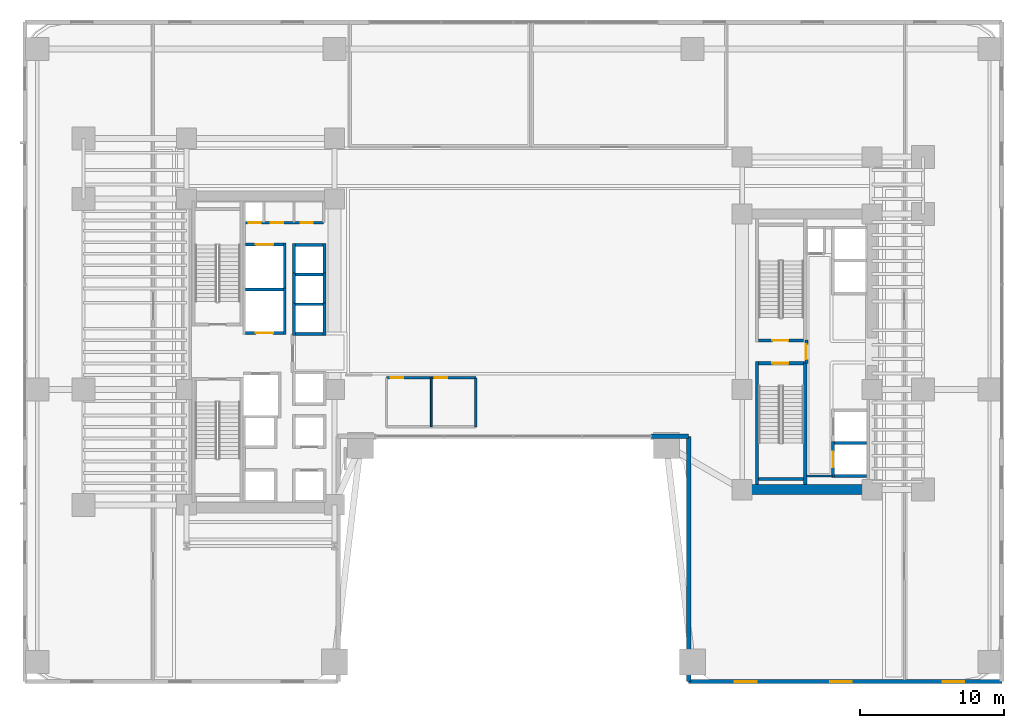
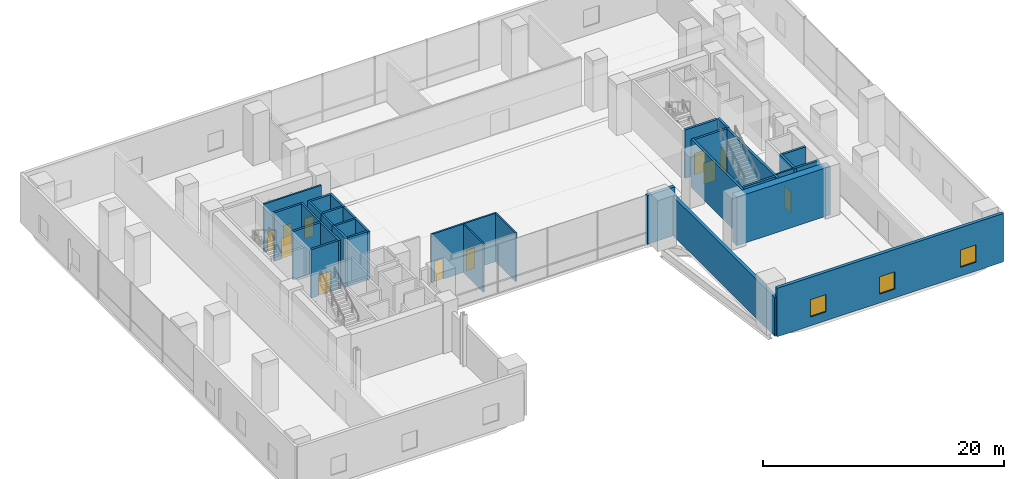
# One storey, part 27 of 39: 33 walls, 11 doors, 3 windows, 14 openings.
"""IFC4 building model written with IfcOpenShell, lengths in metres."""

from ifc_helpers import new_model, si_unit, direction, frame, frame_2d, origin, place, context, subcontext, project, spatial, rectangle, extrude, material, layer, layer_set, type_object, element, fill, save


model = new_model("IFC4")

# Units and contexts
model_context = context("Model", 3, precision=1e-05, world=origin(), true_north=direction((0.0, 1.0)))
body_context = subcontext(model_context, "Body", "Model", "MODEL_VIEW")
ifc_project = project(units=[si_unit("LENGTHUNIT", "METRE"), si_unit("AREAUNIT", "SQUARE_METRE"), si_unit("VOLUMEUNIT", "CUBIC_METRE"), si_unit("PLANEANGLEUNIT", "RADIAN"), si_unit("MASSUNIT", "GRAM", prefix="KILO")], contexts=[model_context])

# Site, building, storey
site_placement = place(None, origin())
site = spatial("IfcSite", under=ifc_project, at=site_placement, CompositionType="ELEMENT")
building_placement = place(site_placement, origin())
building = spatial("IfcBuilding", under=site, at=building_placement, Name="Valdorenza Pilgrim Sanctuary Tower", CompositionType="ELEMENT")
storey_placement = place(building_placement, frame((0.0, 0.0, 5.199951171875)))
storey = spatial("IfcBuildingStorey", under=building, at=storey_placement, Name="L01", CompositionType="ELEMENT", Elevation=5.199951171875)

# Wall, openings, doors
ifc_material_1 = material(Name="Acoustic twin-stud gypsum partition", Category="gypsum")
ifc_layer_1 = layer(ifc_material_1, 0.159912109375, Name="Acoustic twin-stud gypsum partition")
ifc_layer_set_1 = layer_set([ifc_layer_1], Name="Acoustic twin-stud gypsum partition")
wall_type_1 = type_object("IfcWallType", Name="WAL-COR-160", PredefinedType="PARTITIONING", material=ifc_layer_set_1)
wall_1_placement = place(storey_placement, frame((-18.64990234375, 8.949951171875, 0.0), z_axis=(0.0, 0.0, 1.0), x_axis=(1.0, 0.0, 0.0)))
wall_1 = element("IfcWall", 1, at=wall_1_placement, inside=storey, type_object=wall_type_1, Name="L01 Core A North Service South Wall", PredefinedType="PARTITIONING", context=body_context, shape_type="SweptSolid", body=[
    extrude(rectangle(XDim=5.5, YDim=0.159912109375, at=frame_2d((2.75, 0.0))), origin(), (0.0, 0.0, 1.0), 4.920166015625),
])
opening_1_placement = place(wall_1_placement, frame((0.300048828125, 0.0, 0.0)))
opening_1 = element("IfcOpeningElement", 2, at=opening_1_placement, cuts=wall_1, Name="Opening DR-RS1", PredefinedType="OPENING", context=body_context, shape_type="SweptSolid", body=[
    extrude(rectangle(XDim=0.85009765625, YDim=2.050048828125, at=frame_2d((0.425048828125, 1.02490234375))), frame((0.0, 0.0947265625, 0.0), z_axis=(0.0, -1.0, 0.0), x_axis=(1.0, 0.0, 0.0)), (0.0, 0.0, 1.0), 0.189697265625),
])
opening_2_placement = place(wall_1_placement, frame((1.85009765625, 0.0, 0.0)))
opening_2 = element("IfcOpeningElement", 3, at=opening_2_placement, cuts=wall_1, Name="Opening DR-RS1", PredefinedType="OPENING", context=body_context, shape_type="SweptSolid", body=[
    extrude(rectangle(XDim=0.85009765625, YDim=2.050048828125, at=frame_2d((0.425048828125, 1.02490234375))), frame((0.0, 0.0947265625, 0.0), z_axis=(0.0, -1.0, 0.0), x_axis=(1.0, 0.0, 0.0)), (0.0, 0.0, 1.0), 0.189697265625),
])
opening_3_placement = place(wall_1_placement, frame((3.89990234375, 0.0, 0.0)))
opening_3 = element("IfcOpeningElement", 4, at=opening_3_placement, cuts=wall_1, Name="Opening DR-RS1", PredefinedType="OPENING", context=body_context, shape_type="SweptSolid", body=[
    extrude(rectangle(XDim=0.85009765625, YDim=2.050048828125, at=frame_2d((0.425048828125, 1.02490234375))), frame((0.0, 0.0947265625, 0.0), z_axis=(0.0, -1.0, 0.0), x_axis=(1.0, 0.0, 0.0)), (0.0, 0.0, 1.0), 0.189697265625),
])
ifc_material_2 = material(Name="Painted galvanized steel", Category="steel")
door_type_1 = type_object("IfcDoorType", Name="DR-RSR-850", OperationType="NOTDEFINED", PredefinedType="DOOR", material=ifc_material_2)
door_1_placement = place(opening_1_placement, origin())
door_1 = element("IfcDoor", 5, at=door_1_placement, inside=storey, type_object=door_type_1, Name="L01 Core Electrical and Telecom Riser Door", OperationType="SINGLE_SWING_LEFT", OverallHeight=2.050048828125, OverallWidth=0.85009765625, PredefinedType="DOOR", context=body_context, shape_type="SweptSolid", body=[
    extrude(rectangle(XDim=0.85009765625, YDim=2.050048828125, at=frame_2d((0.425048828125, 1.02490234375))), frame((0.0, 0.02490234375, 0.0), z_axis=(0.0, -1.0, 0.0), x_axis=(1.0, 0.0, 0.0)), (0.0, 0.0, 1.0), 0.050048828125),
])
fill(opening_1, door_1)
door_2_placement = place(opening_2_placement, origin())
door_2 = element("IfcDoor", 6, at=door_2_placement, inside=storey, type_object=door_type_1, Name="L01 Core Janitor and Maintenance Store Door", OperationType="SINGLE_SWING_RIGHT", OverallHeight=2.050048828125, OverallWidth=0.85009765625, PredefinedType="DOOR", context=body_context, shape_type="SweptSolid", body=[
    extrude(rectangle(XDim=0.85009765625, YDim=2.050048828125, at=frame_2d((0.425048828125, 1.02490234375))), frame((0.0, 0.02490234375, 0.0), z_axis=(0.0, -1.0, 0.0), x_axis=(1.0, 0.0, 0.0)), (0.0, 0.0, 1.0), 0.050048828125),
])
fill(opening_2, door_2)
door_3_placement = place(opening_3_placement, origin())
door_3 = element("IfcDoor", 7, at=door_3_placement, inside=storey, type_object=door_type_1, Name="L01 Guest Ice and Vending Pantry Door", OperationType="SINGLE_SWING_LEFT", OverallHeight=2.050048828125, OverallWidth=0.85009765625, PredefinedType="DOOR", context=body_context, shape_type="SweptSolid", body=[
    extrude(rectangle(XDim=0.85009765625, YDim=2.050048828125, at=frame_2d((0.425048828125, 1.02490234375))), frame((0.0, 0.02490234375, 0.0), z_axis=(0.0, -1.0, 0.0), x_axis=(1.0, 0.0, 0.0)), (0.0, 0.0, 1.0), 0.050048828125),
])
fill(opening_3, door_3)

# Walls
wall_2_placement = place(storey_placement, frame((20.300048828125, -8.60009765625, 0.0), z_axis=(0.0, 0.0, 1.0), x_axis=(1.0, 0.0, 0.0)))
element("IfcWall", 8, at=wall_2_placement, inside=storey, type_object=wall_type_1, Name="L01 Core B Lift Hall South End Wall", PredefinedType="PARTITIONING", context=body_context, shape_type="SweptSolid", body=[
    extrude(rectangle(XDim=1.820068359375, YDim=0.159912109375, at=frame_2d((0.91015625, 0.0))), origin(), (0.0, 0.0, 1.0), 4.920166015625),
])
wall_3_placement = place(storey_placement, frame((-2.60009765625, -5.199951171875, 0.0), z_axis=(0.0, 0.0, 1.0), x_axis=(0.0, 1.0, 0.0)))
element("IfcWall", 9, at=wall_3_placement, inside=storey, type_object=wall_type_1, Name="L01 Washroom East Wall", PredefinedType="PARTITIONING", context=body_context, shape_type="SweptSolid", body=[
    extrude(rectangle(XDim=3.39990234375, YDim=0.159912109375, at=frame_2d((1.699951171875, 0.0))), origin(), (0.0, 0.0, 1.0), 4.920166015625),
])

# Wall, openings, doors
wall_4_placement = place(storey_placement, frame((-8.800048828125, -1.800048828125, 0.0), z_axis=(0.0, 0.0, 1.0), x_axis=(1.0, 0.0, 0.0)))
wall_4 = element("IfcWall", 10, at=wall_4_placement, inside=storey, type_object=wall_type_1, Name="L01 Washroom North Wall", PredefinedType="PARTITIONING", context=body_context, shape_type="SweptSolid", body=[
    extrude(rectangle(XDim=6.199951171875, YDim=0.159912109375, at=frame_2d((3.10009765625, 0.0))), origin(), (0.0, 0.0, 1.0), 4.920166015625),
])
opening_4_placement = place(wall_4_placement, frame((0.300048828125, 0.0, 0.0)))
opening_4 = element("IfcOpeningElement", 11, at=opening_4_placement, cuts=wall_4, Name="Opening DR-WC1", PredefinedType="OPENING", context=body_context, shape_type="SweptSolid", body=[
    extrude(rectangle(XDim=0.85009765625, YDim=2.10009765625, at=frame_2d((0.425048828125, 1.050048828125))), frame((0.0, 0.0947265625, 0.0), z_axis=(0.0, -1.0, 0.0), x_axis=(1.0, 0.0, 0.0)), (0.0, 0.0, 1.0), 0.189697265625),
])
opening_5_placement = place(wall_4_placement, frame((3.35009765625, 0.0, 0.0)))
opening_5 = element("IfcOpeningElement", 12, at=opening_5_placement, cuts=wall_4, Name="Opening DR-WC1", PredefinedType="OPENING", context=body_context, shape_type="SweptSolid", body=[
    extrude(rectangle(XDim=0.85009765625, YDim=2.10009765625, at=frame_2d((0.425048828125, 1.050048828125))), frame((0.0, 0.0947265625, 0.0), z_axis=(0.0, -1.0, 0.0), x_axis=(1.0, 0.0, 0.0)), (0.0, 0.0, 1.0), 0.189697265625),
])
ifc_material_3 = material(Name="Moisture-resistant lacquered timber", Category="wood")
door_type_2 = type_object("IfcDoorType", Name="DR-BATH-850", OperationType="NOTDEFINED", PredefinedType="DOOR", material=ifc_material_3)
door_4_placement = place(opening_4_placement, origin())
door_4 = element("IfcDoor", 13, at=door_4_placement, inside=storey, type_object=door_type_2, Name="L01 Accessible Washroom Door", OperationType="SINGLE_SWING_RIGHT", OverallHeight=2.10009765625, OverallWidth=0.85009765625, PredefinedType="DOOR", context=body_context, shape_type="SweptSolid", body=[
    extrude(rectangle(XDim=0.85009765625, YDim=2.10009765625, at=frame_2d((0.425048828125, 1.050048828125))), frame((0.0, 0.02490234375, 0.0), z_axis=(0.0, -1.0, 0.0), x_axis=(1.0, 0.0, 0.0)), (0.0, 0.0, 1.0), 0.050048828125),
])
fill(opening_4, door_4)
door_5_placement = place(opening_5_placement, origin())
door_5 = element("IfcDoor", 14, at=door_5_placement, inside=storey, type_object=door_type_2, Name="L01 Public Washroom Door", OperationType="SINGLE_SWING_LEFT", OverallHeight=2.10009765625, OverallWidth=0.85009765625, PredefinedType="DOOR", context=body_context, shape_type="SweptSolid", body=[
    extrude(rectangle(XDim=0.85009765625, YDim=2.10009765625, at=frame_2d((0.425048828125, 1.050048828125))), frame((0.0, 0.02490234375, 0.0), z_axis=(0.0, -1.0, 0.0), x_axis=(1.0, 0.0, 0.0)), (0.0, 0.0, 1.0), 0.050048828125),
])
fill(opening_5, door_5)

# Wall
ifc_material_4 = material(Name="Concrete C60/75", Category="concrete")
ifc_layer_2 = layer(ifc_material_4, 0.699951171875, Name="Concrete C60/75")
ifc_layer_set_2 = layer_set([ifc_layer_2], Name="Concrete C60/75")
wall_type_2 = type_object("IfcWallType", Name="WAL-COR-700", PredefinedType="SHEAR", material=ifc_layer_set_2)
wall_5_placement = place(storey_placement, frame((15.85009765625, -9.550048828125, 0.0), z_axis=(0.0, 0.0, 1.0), x_axis=(1.0, 0.0, 0.0)))
element("IfcWall", 15, at=wall_5_placement, inside=storey, type_object=wall_type_2, Name="L01 Split Core B Shear Wall S", PredefinedType="SHEAR", context=body_context, shape_type="SweptSolid", body=[
    extrude(rectangle(XDim=9.0, YDim=0.699951171875, at=frame_2d((4.5, 0.0))), origin(), (0.0, 0.0, 1.0), 4.920166015625),
])

# Wall, openings, windows
ifc_material_5 = material(Name="Honed travertine limestone", Category="masonry")
ifc_layer_3 = layer(ifc_material_5, 0.300048828125, Name="Honed travertine limestone")
ifc_layer_set_3 = layer_set([ifc_layer_3], Name="Honed travertine limestone")
wall_type_3 = type_object("IfcWallType", Name="WAL-EXT-300", PredefinedType="SOLIDWALL", material=ifc_layer_set_3)
wall_6_placement = place(storey_placement, frame((12.14990234375, -22.85009765625, 0.0), z_axis=(0.0, 0.0, 1.0), x_axis=(1.0, 0.0, 0.0)))
wall_6 = element("IfcWall", 16, at=wall_6_placement, inside=storey, type_object=wall_type_3, Name="L01 Podium Honed Travertine Stone Wall S-E", PredefinedType="SOLIDWALL", context=body_context, shape_type="SweptSolid", body=[
    extrude(rectangle(XDim=21.7001953125, YDim=0.300048828125, at=frame_2d((10.85009765625, 0.0))), origin(), (0.0, 0.0, 1.0), 4.920166015625),
])
opening_6_placement = place(wall_6_placement, frame((3.199951171875, 0.0, 0.89990234375)))
opening_6 = element("IfcOpeningElement", 17, at=opening_6_placement, cuts=wall_6, Name="Opening WN-VS1", PredefinedType="OPENING", context=body_context, shape_type="SweptSolid", body=[
    extrude(rectangle(XDim=1.5, YDim=1.75, at=frame_2d((0.75, 0.875))), frame((0.0, 0.1650390625, 0.0), z_axis=(0.0, -1.0, 0.0), x_axis=(1.0, 0.0, 0.0)), (0.0, 0.0, 1.0), 0.329833984375),
])
opening_7_placement = place(wall_6_placement, frame((9.800048828125, 0.0, 0.89990234375)))
opening_7 = element("IfcOpeningElement", 18, at=opening_7_placement, cuts=wall_6, Name="Opening WN-VS1", PredefinedType="OPENING", context=body_context, shape_type="SweptSolid", body=[
    extrude(rectangle(XDim=1.5, YDim=1.75, at=frame_2d((0.75, 0.875))), frame((0.0, 0.1650390625, 0.0), z_axis=(0.0, -1.0, 0.0), x_axis=(1.0, 0.0, 0.0)), (0.0, 0.0, 1.0), 0.329833984375),
])
opening_8_placement = place(wall_6_placement, frame((17.60009765625, 0.0, 0.89990234375)))
opening_8 = element("IfcOpeningElement", 19, at=opening_8_placement, cuts=wall_6, Name="Opening WN-VS1", PredefinedType="OPENING", context=body_context, shape_type="SweptSolid", body=[
    extrude(rectangle(XDim=1.5, YDim=1.75, at=frame_2d((0.75, 0.875))), frame((0.0, 0.1650390625, 0.0), z_axis=(0.0, -1.0, 0.0), x_axis=(1.0, 0.0, 0.0)), (0.0, 0.0, 1.0), 0.329833984375),
])
ifc_material_6 = material(Name="Ceramic-fritted low-E IGU glazing", Category="glass")
window_type = type_object("IfcWindowType", Name="WIN-VIS-1500", PartitioningType="SINGLE_PANEL", PredefinedType="WINDOW", material=ifc_material_6)
window_1_placement = place(opening_6_placement, origin())
window_1 = element("IfcWindow", 20, at=window_1_placement, inside=storey, type_object=window_type, Name="L01 Podium Stone Vision Window S-E-1", OverallHeight=1.75, OverallWidth=1.5, PartitioningType="SINGLE_PANEL", PredefinedType="WINDOW", context=body_context, shape_type="SweptSolid", body=[
    extrude(rectangle(XDim=1.5, YDim=1.75, at=frame_2d((0.75, 0.875))), frame((0.0, 0.030029296875, 0.0), z_axis=(0.0, -1.0, 0.0), x_axis=(1.0, 0.0, 0.0)), (0.0, 0.0, 1.0), 0.06005859375),
])
fill(opening_6, window_1)
window_2_placement = place(opening_7_placement, origin())
window_2 = element("IfcWindow", 21, at=window_2_placement, inside=storey, type_object=window_type, Name="L01 Podium Stone Vision Window S-E-2", OverallHeight=1.75, OverallWidth=1.5, PartitioningType="SINGLE_PANEL", PredefinedType="WINDOW", context=body_context, shape_type="SweptSolid", body=[
    extrude(rectangle(XDim=1.5, YDim=1.75, at=frame_2d((0.75, 0.875))), frame((0.0, 0.030029296875, 0.0), z_axis=(0.0, -1.0, 0.0), x_axis=(1.0, 0.0, 0.0)), (0.0, 0.0, 1.0), 0.06005859375),
])
fill(opening_7, window_2)
window_3_placement = place(opening_8_placement, origin())
window_3 = element("IfcWindow", 22, at=window_3_placement, inside=storey, type_object=window_type, Name="L01 Podium Stone Vision Window S-E-3", OverallHeight=1.75, OverallWidth=1.5, PartitioningType="SINGLE_PANEL", PredefinedType="WINDOW", context=body_context, shape_type="SweptSolid", body=[
    extrude(rectangle(XDim=1.5, YDim=1.75, at=frame_2d((0.75, 0.875))), frame((0.0, 0.030029296875, 0.0), z_axis=(0.0, -1.0, 0.0), x_axis=(1.0, 0.0, 0.0)), (0.0, 0.0, 1.0), 0.06005859375),
])
fill(opening_8, window_3)

# Walls
wall_7_placement = place(storey_placement, frame((12.14990234375, -22.85009765625, 0.0), z_axis=(0.0, 0.0, 1.0), x_axis=(0.0, 1.0, 0.0)))
element("IfcWall", 23, at=wall_7_placement, inside=storey, type_object=wall_type_3, Name="L01 Portal Arch Stone Cheek Wall ARCH-E", PredefinedType="SOLIDWALL", context=body_context, shape_type="SweptSolid", body=[
    extrude(rectangle(XDim=17.0, YDim=0.300048828125, at=frame_2d((8.5, 0.0))), origin(), (0.0, 0.0, 1.0), 3.95703125),
])
wall_8_placement = place(storey_placement, frame((9.52001953125, -5.85009765625, 0.0), z_axis=(0.0, 0.0, 1.0), x_axis=(1.0, 0.0, 0.0)))
element("IfcWall", 24, at=wall_8_placement, inside=storey, type_object=wall_type_3, Name="L01 Arch Pier East Stone Jamb", PredefinedType="SOLIDWALL", context=body_context, shape_type="SweptSolid", body=[
    extrude(rectangle(XDim=2.6298828125, YDim=0.300048828125, at=frame_2d((1.31494140625, 0.0))), origin(), (0.0, 0.0, 1.0), 4.920166015625),
])

# Wall, opening, door
ifc_material_7 = material(Name="Gypsum shaftwall partition", Category="gypsum")
ifc_layer_4 = layer(ifc_material_7, 0.199951171875, Name="Gypsum shaftwall partition")
ifc_layer_set_4 = layer_set([ifc_layer_4], Name="Gypsum shaftwall partition")
wall_type_4 = type_object("IfcWallType", Name="WAL-FFL-200", PredefinedType="PARTITIONING", material=ifc_layer_set_4)
wall_9_placement = place(storey_placement, frame((20.300048828125, -0.820068359375, 0.0), z_axis=(0.0, 0.0, 1.0), x_axis=(0.0, 1.0, 0.0)))
wall_9 = element("IfcWall", 25, at=wall_9_placement, inside=storey, type_object=wall_type_4, Name="L01 Core B Firefighting Lobby East Wall", PredefinedType="PARTITIONING", context=body_context, shape_type="SweptSolid", body=[
    extrude(rectangle(XDim=1.64013671875, YDim=0.199951171875, at=frame_2d((0.820068359375, 0.0))), origin(), (0.0, 0.0, 1.0), 4.920166015625),
])
opening_9_placement = place(wall_9_placement, frame((0.294921875, 0.0, 0.0)))
opening_9 = element("IfcOpeningElement", 26, at=opening_9_placement, cuts=wall_9, Name="Opening DR-FL1", PredefinedType="OPENING", context=body_context, shape_type="SweptSolid", body=[
    extrude(rectangle(XDim=1.050048828125, YDim=2.14990234375, at=frame_2d((0.52490234375, 1.074951171875))), frame((0.0, 0.11474609375, 0.0), z_axis=(0.0, -1.0, 0.0), x_axis=(1.0, 0.0, 0.0)), (0.0, 0.0, 1.0), 0.229736328125),
])
door_type_3 = type_object("IfcDoorType", Name="DR-FFL-1050", OperationType="NOTDEFINED", PredefinedType="DOOR", material=ifc_material_2)
door_6_placement = place(opening_9_placement, origin())
door_6 = element("IfcDoor", 27, at=door_6_placement, inside=storey, type_object=door_type_3, Name="L01 Core B Firefighting Lobby Door", OperationType="SINGLE_SWING_RIGHT", OverallHeight=2.14990234375, OverallWidth=1.050048828125, PredefinedType="DOOR", context=body_context, shape_type="SweptSolid", body=[
    extrude(rectangle(XDim=1.050048828125, YDim=2.14990234375, at=frame_2d((0.52490234375, 1.074951171875))), frame((0.0, 0.02490234375, 0.0), z_axis=(0.0, -1.0, 0.0), x_axis=(1.0, 0.0, 0.0)), (0.0, 0.0, 1.0), 0.050048828125),
])
fill(opening_9, door_6)

# Walls
ifc_material_8 = material(Name="Moisture-resistant gypsum partition", Category="gypsum")
ifc_layer_5 = layer(ifc_material_8, 0.1201171875, Name="Moisture-resistant gypsum partition")
ifc_layer_set_5 = layer_set([ifc_layer_5], Name="Moisture-resistant gypsum partition")
wall_type_5 = type_object("IfcWallType", Name="WAL-INT-120", PredefinedType="PARTITIONING", material=ifc_layer_set_5)
wall_10_placement = place(storey_placement, frame((-5.699951171875, -5.199951171875, 0.0), z_axis=(0.0, 0.0, 1.0), x_axis=(0.0, 1.0, 0.0)))
element("IfcWall", 28, at=wall_10_placement, inside=storey, type_object=wall_type_5, Name="L01 Washroom Divider Wall", PredefinedType="PARTITIONING", context=body_context, shape_type="SweptSolid", body=[
    extrude(rectangle(XDim=3.39990234375, YDim=0.1201171875, at=frame_2d((1.699951171875, 0.0))), origin(), (0.0, 0.0, 1.0), 4.920166015625),
])
ifc_material_9 = material(Name="Autoclaved aerated concrete blockwork", Category="masonry")
ifc_layer_6 = layer(ifc_material_9, 0.199951171875, Name="Autoclaved aerated concrete blockwork")
ifc_layer_set_6 = layer_set([ifc_layer_6], Name="Autoclaved aerated concrete blockwork")
wall_type_6 = type_object("IfcWallType", Name="WAL-SHF-200", PredefinedType="MOVABLE", material=ifc_layer_set_6)
wall_11_placement = place(storey_placement, frame((-15.85009765625, 1.199951171875, 0.0), z_axis=(0.0, 0.0, 1.0), x_axis=(0.0, 1.0, 0.0)))
element("IfcWall", 29, at=wall_11_placement, inside=storey, type_object=wall_type_6, Name="L01 Lift FFL-01 Hoistway Wall East", PredefinedType="MOVABLE", context=body_context, shape_type="SweptSolid", body=[
    extrude(rectangle(XDim=3.22509765625, YDim=0.199951171875, at=frame_2d((1.612548828125, 0.0))), origin(), (0.0, 0.0, 1.0), 4.920166015625),
])

# Wall, opening, door
wall_12_placement = place(storey_placement, frame((-18.550048828125, 1.300048828125, 0.0), z_axis=(0.0, 0.0, 1.0), x_axis=(1.0, 0.0, 0.0)))
wall_12 = element("IfcWall", 30, at=wall_12_placement, inside=storey, type_object=wall_type_6, Name="L01 Lift FFL-01 Hoistway Wall South", PredefinedType="MOVABLE", context=body_context, shape_type="SweptSolid", body=[
    extrude(rectangle(XDim=2.60009765625, YDim=0.199951171875, at=frame_2d((1.300048828125, 0.0))), origin(), (0.0, 0.0, 1.0), 4.920166015625),
])
opening_10_placement = place(wall_12_placement, frame((0.699951171875, 0.0, 0.0)))
opening_10 = element("IfcOpeningElement", 31, at=opening_10_placement, cuts=wall_12, Name="Opening LD-02", PredefinedType="OPENING", context=body_context, shape_type="SweptSolid", body=[
    extrude(rectangle(XDim=1.199951171875, YDim=2.10009765625, at=frame_2d((0.60009765625, 1.050048828125))), frame((0.0, 0.11474609375, 0.0), z_axis=(0.0, -1.0, 0.0), x_axis=(1.0, 0.0, 0.0)), (0.0, 0.0, 1.0), 0.229736328125),
])
ifc_material_10 = material(Name="Brushed stainless steel Grade 316", Category="steel")
door_type_4 = type_object("IfcDoorType", Name="DR-LFT-1200", OperationType="DOUBLE_DOOR_SLIDING", PredefinedType="DOOR", material=ifc_material_10)
door_7_placement = place(opening_10_placement, origin())
door_7 = element("IfcDoor", 32, at=door_7_placement, inside=storey, type_object=door_type_4, Name="L01 Lift FFL-01 Sliding Landing Door", OperationType="DOUBLE_DOOR_SLIDING", OverallHeight=2.10009765625, OverallWidth=1.199951171875, PredefinedType="DOOR", context=body_context, shape_type="SweptSolid", body=[
    extrude(rectangle(XDim=1.199951171875, YDim=2.10009765625, at=frame_2d((0.60009765625, 1.050048828125))), frame((0.0, 0.02490234375, 0.0), z_axis=(0.0, -1.0, 0.0), x_axis=(1.0, 0.0, 0.0)), (0.0, 0.0, 1.0), 0.050048828125),
])
fill(opening_10, door_7)

# Walls
wall_13_placement = place(storey_placement, frame((-18.550048828125, 4.324951171875, 0.0), z_axis=(0.0, 0.0, 1.0), x_axis=(1.0, 0.0, 0.0)))
element("IfcWall", 33, at=wall_13_placement, inside=storey, type_object=wall_type_6, Name="L01 Lift FFL-01 Hoistway Wall North", PredefinedType="MOVABLE", context=body_context, shape_type="SweptSolid", body=[
    extrude(rectangle(XDim=2.60009765625, YDim=0.199951171875, at=frame_2d((1.300048828125, 0.0))), origin(), (0.0, 0.0, 1.0), 4.920166015625),
])
wall_14_placement = place(storey_placement, frame((-15.85009765625, 4.22509765625, 0.0), z_axis=(0.0, 0.0, 1.0), x_axis=(0.0, 1.0, 0.0)))
element("IfcWall", 34, at=wall_14_placement, inside=storey, type_object=wall_type_6, Name="L01 Lift SVL-01 Hoistway Wall East", PredefinedType="MOVABLE", context=body_context, shape_type="SweptSolid", body=[
    extrude(rectangle(XDim=3.324951171875, YDim=0.199951171875, at=frame_2d((1.66259765625, 0.0))), origin(), (0.0, 0.0, 1.0), 4.920166015625),
])

# Wall, opening, door
wall_15_placement = place(storey_placement, frame((-18.550048828125, 7.449951171875, 0.0), z_axis=(0.0, 0.0, 1.0), x_axis=(1.0, 0.0, 0.0)))
wall_15 = element("IfcWall", 35, at=wall_15_placement, inside=storey, type_object=wall_type_6, Name="L01 Lift SVL-01 Hoistway Wall North", PredefinedType="MOVABLE", context=body_context, shape_type="SweptSolid", body=[
    extrude(rectangle(XDim=2.60009765625, YDim=0.199951171875, at=frame_2d((1.300048828125, 0.0))), origin(), (0.0, 0.0, 1.0), 4.920166015625),
])
opening_11_placement = place(wall_15_placement, frame((0.699951171875, 0.0, 0.0)))
opening_11 = element("IfcOpeningElement", 36, at=opening_11_placement, cuts=wall_15, Name="Opening LD-02", PredefinedType="OPENING", context=body_context, shape_type="SweptSolid", body=[
    extrude(rectangle(XDim=1.199951171875, YDim=2.10009765625, at=frame_2d((0.60009765625, 1.050048828125))), frame((0.0, 0.11474609375, 0.0), z_axis=(0.0, -1.0, 0.0), x_axis=(1.0, 0.0, 0.0)), (0.0, 0.0, 1.0), 0.229736328125),
])
door_8_placement = place(opening_11_placement, origin())
door_8 = element("IfcDoor", 37, at=door_8_placement, inside=storey, type_object=door_type_4, Name="L01 Lift SVL-01 Sliding Landing Door", OperationType="DOUBLE_DOOR_SLIDING", OverallHeight=2.10009765625, OverallWidth=1.199951171875, PredefinedType="DOOR", context=body_context, shape_type="SweptSolid", body=[
    extrude(rectangle(XDim=1.199951171875, YDim=2.10009765625, at=frame_2d((0.60009765625, 1.050048828125))), frame((0.0, 0.02490234375, 0.0), z_axis=(0.0, -1.0, 0.0), x_axis=(1.0, 0.0, 0.0)), (0.0, 0.0, 1.0), 0.050048828125),
])
fill(opening_11, door_8)

wall_16_placement = place(storey_placement, frame((22.14990234375, -8.699951171875, 0.0), z_axis=(0.0, 0.0, 1.0), x_axis=(0.0, 1.0, 0.0)))
wall_16 = element("IfcWall", 38, at=wall_16_placement, inside=storey, type_object=wall_type_6, Name="L01 Lift PL-03 Hoistway Wall West", PredefinedType="MOVABLE", context=body_context, shape_type="SweptSolid", body=[
    extrude(rectangle(XDim=2.474853515625, YDim=0.199951171875, at=frame_2d((1.2373046875, 0.0))), origin(), (0.0, 0.0, 1.0), 4.920166015625),
])
opening_12_placement = place(wall_16_placement, frame((0.6875, 0.0, 0.0)))
opening_12 = element("IfcOpeningElement", 39, at=opening_12_placement, cuts=wall_16, Name="Opening LD-01", PredefinedType="OPENING", context=body_context, shape_type="SweptSolid", body=[
    extrude(rectangle(XDim=1.10009765625, YDim=2.10009765625, at=frame_2d((0.550048828125, 1.050048828125))), frame((0.0, 0.11474609375, 0.0), z_axis=(0.0, -1.0, 0.0), x_axis=(1.0, 0.0, 0.0)), (0.0, 0.0, 1.0), 0.229736328125),
])
door_type_5 = type_object("IfcDoorType", Name="DR-LFT-1100", OperationType="DOUBLE_DOOR_SLIDING", PredefinedType="DOOR", material=ifc_material_10)
door_9_placement = place(opening_12_placement, origin())
door_9 = element("IfcDoor", 40, at=door_9_placement, inside=storey, type_object=door_type_5, Name="L01 Lift PL-03 Sliding Landing Door", OperationType="DOUBLE_DOOR_SLIDING", OverallHeight=2.10009765625, OverallWidth=1.10009765625, PredefinedType="DOOR", context=body_context, shape_type="SweptSolid", body=[
    extrude(rectangle(XDim=1.10009765625, YDim=2.10009765625, at=frame_2d((0.550048828125, 1.050048828125))), frame((0.0, 0.02490234375, 0.0), z_axis=(0.0, -1.0, 0.0), x_axis=(1.0, 0.0, 0.0)), (0.0, 0.0, 1.0), 0.050048828125),
])
fill(opening_12, door_9)

# Walls
for number, where, z_axis, x_axis, name in (
    (41, (22.25, -8.60009765625, 0.0), (0.0, 0.0, 1.0), (1.0, 0.0, 0.0), "L01 Lift PL-03 Hoistway Wall South"),
    (42, (22.25, -6.324951171875, 0.0), (0.0, 0.0, 1.0), (1.0, 0.0, 0.0), "L01 Lift PL-03 Hoistway Wall North"),
):
    element("IfcWall", number, at=place(storey_placement, frame(where, z_axis=z_axis, x_axis=x_axis)), inside=storey, type_object=wall_type_6, Name=name, PredefinedType="MOVABLE", context=body_context, shape_type="SweptSolid", body=[
        extrude(rectangle(XDim=2.22998046875, YDim=0.199951171875, at=frame_2d((1.114990234375, 0.0))), origin(), (0.0, 0.0, 1.0), 4.920166015625),
    ])
for number, where, z_axis, x_axis, name in (
    (43, (-15.199951171875, 1.14990234375, 0.0), (0.0, 0.0, 1.0), (0.0, 1.0, 0.0), "L01 Lift PL-06 Hoistway Wall West"),
    (44, (-13.080078125, 1.14990234375, 0.0), (0.0, 0.0, 1.0), (0.0, 1.0, 0.0), "L01 Lift PL-06 Hoistway Wall East"),
):
    element("IfcWall", number, at=place(storey_placement, frame(where, z_axis=z_axis, x_axis=x_axis)), inside=storey, type_object=wall_type_6, Name=name, PredefinedType="MOVABLE", context=body_context, shape_type="SweptSolid", body=[
        extrude(rectangle(XDim=2.25, YDim=0.199951171875, at=frame_2d((1.125, 0.0))), origin(), (0.0, 0.0, 1.0), 4.920166015625),
    ])
wall_17_placement = place(storey_placement, frame((-15.10009765625, 1.25, 0.0), z_axis=(0.0, 0.0, 1.0), x_axis=(1.0, 0.0, 0.0)))
element("IfcWall", 45, at=wall_17_placement, inside=storey, type_object=wall_type_6, Name="L01 Lift PL-06 Hoistway Wall South", PredefinedType="MOVABLE", context=body_context, shape_type="SweptSolid", body=[
    extrude(rectangle(XDim=1.920166015625, YDim=0.199951171875, at=frame_2d((0.9599609375, 0.0))), origin(), (0.0, 0.0, 1.0), 4.920166015625),
])
for number, where, z_axis, x_axis, name in (
    (46, (-15.199951171875, 3.199951171875, 0.0), (0.0, 0.0, 1.0), (0.0, 1.0, 0.0), "L01 Lift PL-09 Hoistway Wall West"),
    (47, (-13.080078125, 3.199951171875, 0.0), (0.0, 0.0, 1.0), (0.0, 1.0, 0.0), "L01 Lift PL-09 Hoistway Wall East"),
):
    element("IfcWall", number, at=place(storey_placement, frame(where, z_axis=z_axis, x_axis=x_axis)), inside=storey, type_object=wall_type_6, Name=name, PredefinedType="MOVABLE", context=body_context, shape_type="SweptSolid", body=[
        extrude(rectangle(XDim=2.25, YDim=0.199951171875, at=frame_2d((1.125, 0.0))), origin(), (0.0, 0.0, 1.0), 4.920166015625),
    ])
for number, where, z_axis, x_axis, name in (
    (48, (-15.10009765625, 3.300048828125, 0.0), (0.0, 0.0, 1.0), (1.0, 0.0, 0.0), "L01 Lift PL-09 Hoistway Wall South"),
    (49, (-15.10009765625, 5.35009765625, 0.0), (0.0, 0.0, 1.0), (1.0, 0.0, 0.0), "L01 Lift PL-09 Hoistway Wall North"),
):
    element("IfcWall", number, at=place(storey_placement, frame(where, z_axis=z_axis, x_axis=x_axis)), inside=storey, type_object=wall_type_6, Name=name, PredefinedType="MOVABLE", context=body_context, shape_type="SweptSolid", body=[
        extrude(rectangle(XDim=1.920166015625, YDim=0.199951171875, at=frame_2d((0.9599609375, 0.0))), origin(), (0.0, 0.0, 1.0), 4.920166015625),
    ])
for number, where, z_axis, x_axis, name in (
    (50, (-15.199951171875, 5.25, 0.0), (0.0, 0.0, 1.0), (0.0, 1.0, 0.0), "L01 Lift PL-10 Hoistway Wall West"),
    (51, (-13.080078125, 5.25, 0.0), (0.0, 0.0, 1.0), (0.0, 1.0, 0.0), "L01 Lift PL-10 Hoistway Wall East"),
):
    element("IfcWall", number, at=place(storey_placement, frame(where, z_axis=z_axis, x_axis=x_axis)), inside=storey, type_object=wall_type_6, Name=name, PredefinedType="MOVABLE", context=body_context, shape_type="SweptSolid", body=[
        extrude(rectangle(XDim=2.25, YDim=0.199951171875, at=frame_2d((1.125, 0.0))), origin(), (0.0, 0.0, 1.0), 4.920166015625),
    ])
wall_18_placement = place(storey_placement, frame((-15.10009765625, 7.39990234375, 0.0), z_axis=(0.0, 0.0, 1.0), x_axis=(1.0, 0.0, 0.0)))
element("IfcWall", 52, at=wall_18_placement, inside=storey, type_object=wall_type_6, Name="L01 Lift PL-10 Hoistway Wall North", PredefinedType="MOVABLE", context=body_context, shape_type="SweptSolid", body=[
    extrude(rectangle(XDim=1.920166015625, YDim=0.199951171875, at=frame_2d((0.9599609375, 0.0))), origin(), (0.0, 0.0, 1.0), 4.920166015625),
])

# Wall, opening, door
ifc_material_11 = material(Name="Concrete C40/50", Category="concrete")
ifc_layer_7 = layer(ifc_material_11, 0.219970703125, Name="Concrete C40/50")
ifc_layer_set_7 = layer_set([ifc_layer_7], Name="Concrete C40/50")
wall_type_7 = type_object("IfcWallType", Name="WAL-STR-SHF-220", PredefinedType="SHEAR", material=ifc_layer_set_7)
wall_19_placement = place(storey_placement, frame((17.0, 0.7900390625, 0.0), z_axis=(0.0, 0.0, 1.0), x_axis=(1.0, 0.0, 0.0)))
wall_19 = element("IfcWall", 53, at=wall_19_placement, inside=storey, type_object=wall_type_7, Name="L01 ST-B1 Structural Stairwell Wall S", PredefinedType="SHEAR", context=body_context, shape_type="SweptSolid", body=[
    extrude(rectangle(XDim=3.110107421875, YDim=0.219970703125, at=frame_2d((1.55517578125, 0.0))), origin(), (0.0, 0.0, 1.0), 4.920166015625),
])
opening_13_placement = place(wall_19_placement, frame((0.949951171875, 0.0, 0.0)))
opening_13 = element("IfcOpeningElement", 54, at=opening_13_placement, cuts=wall_19, Name="Opening DR-ST1", PredefinedType="OPENING", context=body_context, shape_type="SweptSolid", body=[
    extrude(rectangle(XDim=1.10009765625, YDim=2.14990234375, at=frame_2d((0.550048828125, 1.074951171875))), frame((0.0, 0.125, 0.0), z_axis=(0.0, -1.0, 0.0), x_axis=(1.0, 0.0, 0.0)), (0.0, 0.0, 1.0), 0.249755859375),
])
door_type_6 = type_object("IfcDoorType", Name="DR-STAIR-1100", OperationType="NOTDEFINED", PredefinedType="DOOR", material=ifc_material_2)
door_10_placement = place(opening_13_placement, frame((1.10009765625, 0.0, 0.0), z_axis=(0.0, 0.0, 1.0), x_axis=(-1.0, 0.0, 0.0)))
door_10 = element("IfcDoor", 55, at=door_10_placement, inside=storey, type_object=door_type_6, Name="L01 Exit Stair ST-B1 Door", OperationType="SINGLE_SWING_LEFT", OverallHeight=2.14990234375, OverallWidth=1.10009765625, PredefinedType="DOOR", context=body_context, shape_type="SweptSolid", body=[
    extrude(rectangle(XDim=1.10009765625, YDim=2.14990234375, at=frame_2d((0.550048828125, 1.074951171875))), frame((0.0, 0.02490234375, 0.0), z_axis=(0.0, -1.0, 0.0), x_axis=(1.0, 0.0, 0.0)), (0.0, 0.0, 1.0), 0.050048828125),
])
fill(opening_13, door_10)

# Walls
for number, where, z_axis, x_axis, name in (
    (56, (16.889892578125, -9.199951171875, 0.0), (0.0, 0.0, 1.0), (0.0, 1.0, 0.0), "L01 ST-B2 Structural Stairwell Wall W"),
    (57, (20.219970703125, -9.199951171875, 0.0), (0.0, 0.0, 1.0), (0.0, 1.0, 0.0), "L01 ST-B2 Structural Stairwell Wall E"),
):
    element("IfcWall", number, at=place(storey_placement, frame(where, z_axis=z_axis, x_axis=x_axis)), inside=storey, type_object=wall_type_7, Name=name, PredefinedType="SHEAR", context=body_context, shape_type="SweptSolid", body=[
        extrude(rectangle(XDim=8.52001953125, YDim=0.219970703125, at=frame_2d((4.260009765625, 0.0))), origin(), (0.0, 0.0, 1.0), 4.920166015625),
    ])
wall_20_placement = place(storey_placement, frame((17.0, -8.81005859375, 0.0), z_axis=(0.0, 0.0, 1.0), x_axis=(1.0, 0.0, 0.0)))
element("IfcWall", 58, at=wall_20_placement, inside=storey, type_object=wall_type_7, Name="L01 ST-B2 Structural Stairwell Wall S", PredefinedType="SHEAR", context=body_context, shape_type="SweptSolid", body=[
    extrude(rectangle(XDim=3.110107421875, YDim=0.219970703125, at=frame_2d((1.55517578125, 0.0))), origin(), (0.0, 0.0, 1.0), 4.920166015625),
])

# Wall, opening, door
wall_21_placement = place(storey_placement, frame((17.0, -0.7900390625, 0.0), z_axis=(0.0, 0.0, 1.0), x_axis=(1.0, 0.0, 0.0)))
wall_21 = element("IfcWall", 59, at=wall_21_placement, inside=storey, type_object=wall_type_7, Name="L01 ST-B2 Structural Stairwell Wall N", PredefinedType="SHEAR", context=body_context, shape_type="SweptSolid", body=[
    extrude(rectangle(XDim=3.110107421875, YDim=0.219970703125, at=frame_2d((1.55517578125, 0.0))), origin(), (0.0, 0.0, 1.0), 4.920166015625),
])
opening_14_placement = place(wall_21_placement, frame((0.949951171875, 0.0, 0.0)))
opening_14 = element("IfcOpeningElement", 60, at=opening_14_placement, cuts=wall_21, Name="Opening DR-ST1", PredefinedType="OPENING", context=body_context, shape_type="SweptSolid", body=[
    extrude(rectangle(XDim=1.10009765625, YDim=2.14990234375, at=frame_2d((0.550048828125, 1.074951171875))), frame((0.0, 0.125, 0.0), z_axis=(0.0, -1.0, 0.0), x_axis=(1.0, 0.0, 0.0)), (0.0, 0.0, 1.0), 0.249755859375),
])
door_11_placement = place(opening_14_placement, origin())
door_11 = element("IfcDoor", 61, at=door_11_placement, inside=storey, type_object=door_type_6, Name="L01 Exit Stair ST-B2 Door", OperationType="SINGLE_SWING_RIGHT", OverallHeight=2.14990234375, OverallWidth=1.10009765625, PredefinedType="DOOR", context=body_context, shape_type="SweptSolid", body=[
    extrude(rectangle(XDim=1.10009765625, YDim=2.14990234375, at=frame_2d((0.550048828125, 1.074951171875))), frame((0.0, 0.02490234375, 0.0), z_axis=(0.0, -1.0, 0.0), x_axis=(1.0, 0.0, 0.0)), (0.0, 0.0, 1.0), 0.050048828125),
])
fill(opening_14, door_11)

save(model, "model.ifc")
